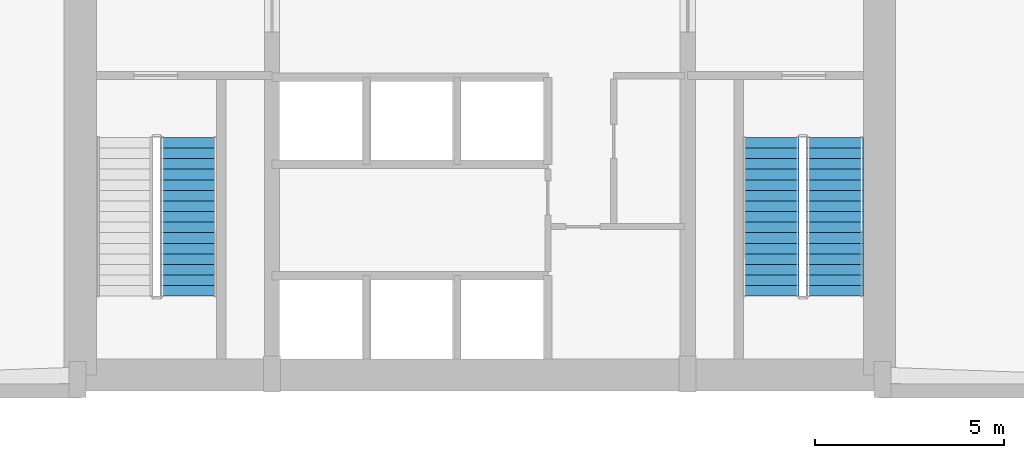
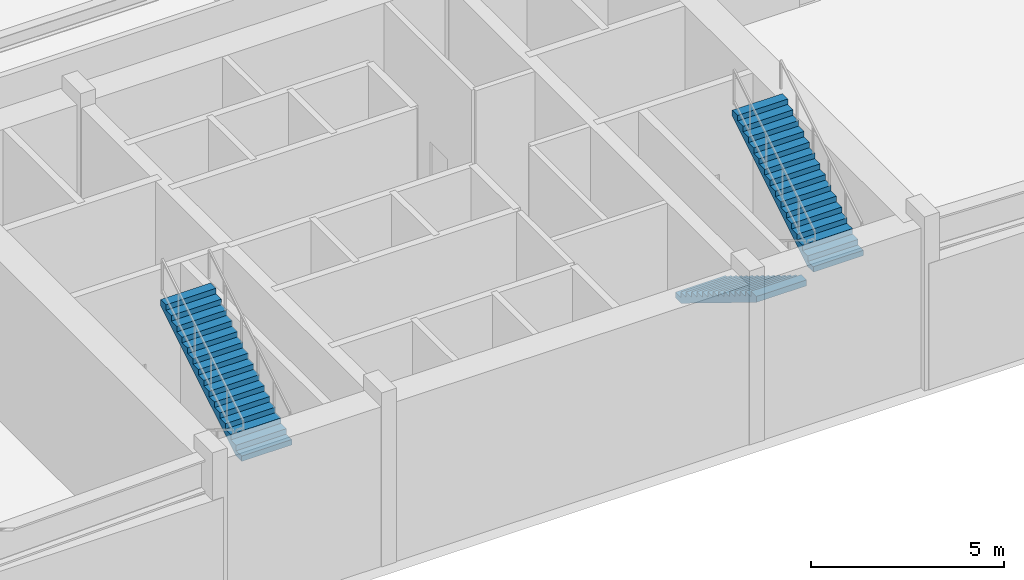
# One storey, part 6 of 8: 3 stair flights, 2 elements without a shape of their own.
"""IFC4 building model written with IfcOpenShell, lengths in metres."""

from ifc_helpers import new_model, si_unit, direction, frame, origin, place, context, subcontext, project, spatial, polyline, outline, extrude, material, type_object, element, aggregate, save


model = new_model("IFC4")

# Units and contexts
model_context = context("Model", 3, precision=1e-05, world=origin(), true_north=direction((0.0, 1.0)))
body_context = subcontext(model_context, "Body", "Model", "MODEL_VIEW")
ifc_project = project(units=[si_unit("LENGTHUNIT", "METRE"), si_unit("AREAUNIT", "SQUARE_METRE"), si_unit("VOLUMEUNIT", "CUBIC_METRE"), si_unit("PLANEANGLEUNIT", "RADIAN"), si_unit("MASSUNIT", "GRAM", prefix="KILO")], contexts=[model_context])

# Site, building, storey
site_placement = place(None, origin())
site = spatial("IfcSite", under=ifc_project, at=site_placement, CompositionType="ELEMENT")
building_placement = place(site_placement, origin())
building = spatial("IfcBuilding", under=site, at=building_placement, Name="Varnakhor Terracotta Tower", CompositionType="ELEMENT")
storey_placement = place(building_placement, frame((0.0, 0.0, 16.5)))
storey = spatial("IfcBuildingStorey", under=building, at=storey_placement, Name="L03", CompositionType="ELEMENT", Elevation=16.5)

# Stair, stair flight
ifc_material = material(Name="Concrete C40/50", Category="concrete")
stair_type = type_object("IfcStairType", Name="STR-CORE-OFFICE-1500", PredefinedType="HALF_TURN_STAIR", material=ifc_material)
stair_1_placement = place(storey_placement, origin())
stair_1 = element("IfcStair", 1, at=stair_1_placement, inside=storey, type_object=stair_type, Name="L03 Core Exit Stair ST-1", PredefinedType="HALF_TURN_STAIR")
stair_flight_type = type_object("IfcStairFlightType", Name="FLT-CORE-1500", PredefinedType="STRAIGHT", material=ifc_material)
stair_flight_1_placement = place(storey_placement, frame((-7.699951171875, 2.510009765625, 2.75), z_axis=(0.0, 0.0, 1.0), x_axis=(0.0, 1.0, 0.0)))
stair_flight_1 = element("IfcStairFlight", 2, at=stair_flight_1_placement, type_object=stair_flight_type, Name="ST-1 flight 2", NumberOfRisers=16, NumberOfTreads=15, PredefinedType="STRAIGHT", RiserHeight=0.171875, TreadLength=0.28, context=body_context, shape_type="SweptSolid", body=[
    extrude(outline(polyline([(0.0, 0.0), (0.0, 0.171875), (0.280029296875, 0.171875), (0.280029296875, 0.34375), (0.56005859375, 0.34375), (0.56005859375, 0.515625), (0.840087890625, 0.515625), (0.840087890625, 0.6875), (1.1201171875, 0.6875), (1.1201171875, 0.859375), (1.39990234375, 0.859375), (1.39990234375, 1.03125), (1.679931640625, 1.03125), (1.679931640625, 1.203125), (1.9599609375, 1.203125), (1.9599609375, 1.375), (2.239990234375, 1.375), (2.239990234375, 1.546875), (2.52001953125, 1.546875), (2.52001953125, 1.71875), (2.800048828125, 1.71875), (2.800048828125, 1.890625), (3.080078125, 1.890625), (3.080078125, 2.0625), (3.360107421875, 2.0625), (3.360107421875, 2.234375), (3.639892578125, 2.234375), (3.639892578125, 2.40625), (3.919921875, 2.40625), (3.919921875, 2.578125), (4.199951171875, 2.578125), (4.199951171875, 2.75), (4.199951171875, 2.390380859375), (0.3056640625, 0.0), (0.0, 0.0)])), frame((0.0, 0.75, 0.0), z_axis=(0.0, -1.0, 0.0), x_axis=(1.0, 0.0, 0.0)), (0.0, 0.0, 1.0), 1.5),
])
aggregate(stair_1, [stair_flight_1])

# Stair, stair flights
stair_2_placement = place(storey_placement, origin())
stair_2 = element("IfcStair", 3, at=stair_2_placement, inside=storey, type_object=stair_type, Name="L03 Core Exit Stair ST-2", PredefinedType="HALF_TURN_STAIR")
stair_flight_2_placement = place(storey_placement, frame((7.699951171875, 6.7099609375, 0.0), z_axis=(0.0, 0.0, 1.0), x_axis=(0.0, -1.0, 0.0)))
stair_flight_2 = element("IfcStairFlight", 4, at=stair_flight_2_placement, type_object=stair_flight_type, Name="ST-2 flight 1", NumberOfRisers=16, NumberOfTreads=15, PredefinedType="STRAIGHT", RiserHeight=0.171875, TreadLength=0.28, context=body_context, shape_type="SweptSolid", body=[
    extrude(outline(polyline([(0.0, 0.0), (0.0, 0.171875), (0.280029296875, 0.171875), (0.280029296875, 0.34375), (0.56005859375, 0.34375), (0.56005859375, 0.515625), (0.840087890625, 0.515625), (0.840087890625, 0.6875), (1.1201171875, 0.6875), (1.1201171875, 0.859375), (1.39990234375, 0.859375), (1.39990234375, 1.03125), (1.679931640625, 1.03125), (1.679931640625, 1.203125), (1.9599609375, 1.203125), (1.9599609375, 1.375), (2.239990234375, 1.375), (2.239990234375, 1.546875), (2.52001953125, 1.546875), (2.52001953125, 1.71875), (2.800048828125, 1.71875), (2.800048828125, 1.890625), (3.080078125, 1.890625), (3.080078125, 2.0625), (3.360107421875, 2.0625), (3.360107421875, 2.234375), (3.639892578125, 2.234375), (3.639892578125, 2.40625), (3.919921875, 2.40625), (3.919921875, 2.578125), (4.199951171875, 2.578125), (4.199951171875, 2.75), (4.199951171875, 2.390380859375), (0.3056640625, 0.0), (0.0, 0.0)])), frame((0.0, 0.75, 0.0), z_axis=(0.0, -1.0, 0.0), x_axis=(1.0, 0.0, 0.0)), (0.0, 0.0, 1.0), 1.5),
])
stair_flight_3_placement = place(storey_placement, frame((9.39990234375, 2.510009765625, 2.75), z_axis=(0.0, 0.0, 1.0), x_axis=(0.0, 1.0, 0.0)))
stair_flight_3 = element("IfcStairFlight", 5, at=stair_flight_3_placement, type_object=stair_flight_type, Name="ST-2 flight 2", NumberOfRisers=16, NumberOfTreads=15, PredefinedType="STRAIGHT", RiserHeight=0.171875, TreadLength=0.28, context=body_context, shape_type="SweptSolid", body=[
    extrude(outline(polyline([(0.0, 0.0), (0.0, 0.171875), (0.280029296875, 0.171875), (0.280029296875, 0.34375), (0.56005859375, 0.34375), (0.56005859375, 0.515625), (0.840087890625, 0.515625), (0.840087890625, 0.6875), (1.1201171875, 0.6875), (1.1201171875, 0.859375), (1.39990234375, 0.859375), (1.39990234375, 1.03125), (1.679931640625, 1.03125), (1.679931640625, 1.203125), (1.9599609375, 1.203125), (1.9599609375, 1.375), (2.239990234375, 1.375), (2.239990234375, 1.546875), (2.52001953125, 1.546875), (2.52001953125, 1.71875), (2.800048828125, 1.71875), (2.800048828125, 1.890625), (3.080078125, 1.890625), (3.080078125, 2.0625), (3.360107421875, 2.0625), (3.360107421875, 2.234375), (3.639892578125, 2.234375), (3.639892578125, 2.40625), (3.919921875, 2.40625), (3.919921875, 2.578125), (4.199951171875, 2.578125), (4.199951171875, 2.75), (4.199951171875, 2.390380859375), (0.3056640625, 0.0), (0.0, 0.0)])), frame((0.0, 0.75, 0.0), z_axis=(0.0, -1.0, 0.0), x_axis=(1.0, 0.0, 0.0)), (0.0, 0.0, 1.0), 1.5),
])
aggregate(stair_2, [stair_flight_2, stair_flight_3])

save(model, "model.ifc")
